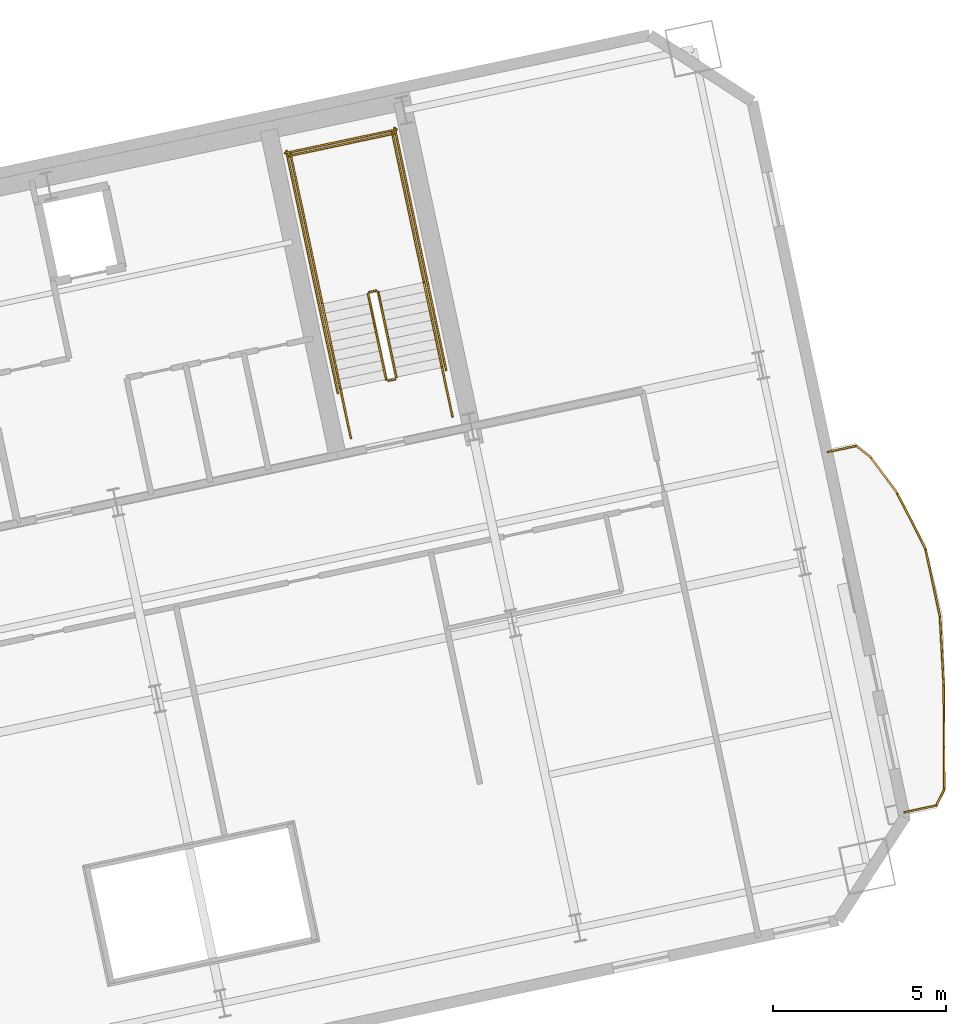
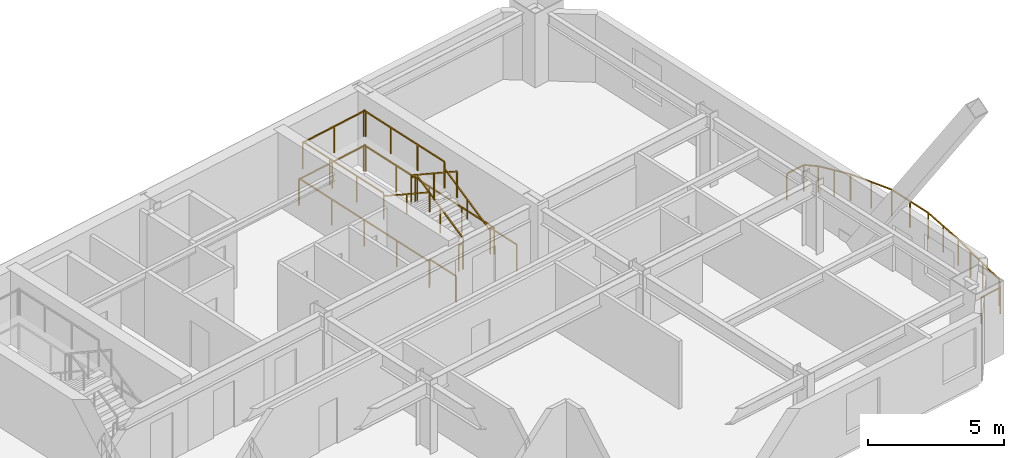
# One storey, part 15 of 15: 24 railings.
"""IFC4 building model written with IfcOpenShell, lengths in metres."""

from ifc_helpers import new_model, si_unit, direction, frame, origin, origin_2d, place, context, subcontext, project, spatial, rectangle, extrude, material, type_object, element, save


model = new_model("IFC4")

# Units and contexts
model_context = context("Model", 3, precision=1e-05, world=origin(), true_north=direction((0.0, 1.0)))
body_context = subcontext(model_context, "Body", "Model", "MODEL_VIEW")
ifc_project = project(units=[si_unit("LENGTHUNIT", "METRE"), si_unit("AREAUNIT", "SQUARE_METRE"), si_unit("VOLUMEUNIT", "CUBIC_METRE"), si_unit("PLANEANGLEUNIT", "RADIAN"), si_unit("MASSUNIT", "GRAM", prefix="KILO")], contexts=[model_context])

# Site, building, storey
site_placement = place(None, origin())
site = spatial("IfcSite", under=ifc_project, at=site_placement, CompositionType="ELEMENT")
building_placement = place(site_placement, origin())
building = spatial("IfcBuilding", under=site, at=building_placement, Name="Haevon Station Towers", CompositionType="ELEMENT")
storey_placement = place(building_placement, frame((0.0, 0.0, 103.199951171875)))
storey = spatial("IfcBuildingStorey", under=building, at=storey_placement, Name="L27", CompositionType="ELEMENT", Elevation=103.199951171875)

# Railings
ifc_material = material(Name="Steel S355", Category="steel")
railing_type_1 = type_object("IfcRailingType", Name="GRD-EXT1200", PredefinedType="GUARDRAIL", material=ifc_material)
railing_1_placement = place(storey_placement, frame((131.80615234375, 30.66943359375, 0.0)))
element("IfcRailing", 1, at=railing_1_placement, inside=storey, type_object=railing_type_1, Name="L27 Perimeter Guardrail 1", PredefinedType="GUARDRAIL", context=body_context, shape_type="SweptSolid", body=[
    extrude(rectangle(XDim=0.048095703125, YDim=0.048095703125, at=origin_2d()), frame((0.0, 0.0, 1.17578125), z_axis=(0.977684892297, 0.210076774952, 0.0), x_axis=(-0.210076774952, 0.977684892297, 0.0)), (0.0, 0.0, 1.0), 0.943603515625),
    extrude(rectangle(XDim=0.0419921875, YDim=0.0419921875, at=origin_2d()), origin(), (0.0, 0.0, 1.0), 1.15185546875),
    extrude(rectangle(XDim=0.0419921875, YDim=0.0419921875, at=origin_2d()), frame((0.922607421875, 0.1982421875, 0.0)), (0.0, 0.0, 1.0), 1.15185546875),
])
railing_2_placement = place(storey_placement, frame((132.728759765625, 30.86767578125, 0.0)))
element("IfcRailing", 2, at=railing_2_placement, inside=storey, type_object=railing_type_1, Name="L27 Perimeter Guardrail 2", PredefinedType="GUARDRAIL", context=body_context, shape_type="SweptSolid", body=[
    extrude(rectangle(XDim=0.048095703125, YDim=0.048095703125, at=origin_2d()), frame((0.0, 0.0, 1.17578125), z_axis=(0.441418206512, 0.897301491673, 0.0), x_axis=(-0.897301491673, 0.441418206512, 0.0)), (0.0, 0.0, 1.0), 0.523193359375),
    extrude(rectangle(XDim=0.0419921875, YDim=0.0419921875, at=origin_2d()), origin(), (0.0, 0.0, 1.0), 1.15185546875),
    extrude(rectangle(XDim=0.0419921875, YDim=0.0419921875, at=origin_2d()), frame((0.23095703125, 0.469482421875, 0.0)), (0.0, 0.0, 1.0), 1.15185546875),
])
railing_3_placement = place(storey_placement, frame((132.959716796875, 31.337158203125, 0.0)))
element("IfcRailing", 3, at=railing_3_placement, inside=storey, type_object=railing_type_1, Name="L27 Perimeter Guardrail 3", PredefinedType="GUARDRAIL", context=body_context, shape_type="SweptSolid", body=[
    extrude(rectangle(XDim=0.048095703125, YDim=0.048095703125, at=origin_2d()), frame((0.0, 0.0, 1.17578125), z_axis=(-0.005720028996, 0.9999836405, 0.0), x_axis=(-0.9999836405, -0.005720028996, 0.0)), (0.0, 0.0, 1.0), 1.195068359375),
    extrude(rectangle(XDim=0.0419921875, YDim=0.0419921875, at=origin_2d()), origin(), (0.0, 0.0, 1.0), 1.15185546875),
    extrude(rectangle(XDim=0.0419921875, YDim=0.0419921875, at=origin_2d()), frame((-0.0068359375, 1.195068359375, 0.0)), (0.0, 0.0, 1.0), 1.15185546875),
])
railing_4_placement = place(storey_placement, frame((132.952880859375, 32.5322265625, 0.0)))
element("IfcRailing", 4, at=railing_4_placement, inside=storey, type_object=railing_type_1, Name="L27 Perimeter Guardrail 4", PredefinedType="GUARDRAIL", context=body_context, shape_type="SweptSolid", body=[
    extrude(rectangle(XDim=0.048095703125, YDim=0.048095703125, at=origin_2d()), frame((0.0, 0.0, 1.17578125), z_axis=(-0.00451123229, 0.99998982434, 0.0), x_axis=(-0.99998982434, -0.00451123229, 0.0)), (0.0, 0.0, 1.0), 1.785888671875),
    extrude(rectangle(XDim=0.0419921875, YDim=0.0419921875, at=origin_2d()), origin(), (0.0, 0.0, 1.0), 1.15185546875),
    extrude(rectangle(XDim=0.0419921875, YDim=0.0419921875, at=origin_2d()), frame((-0.00390625, 0.89306640625, 0.0)), (0.0, 0.0, 1.0), 1.15185546875),
    extrude(rectangle(XDim=0.0419921875, YDim=0.0419921875, at=origin_2d()), frame((-0.008056640625, 1.785888671875, 0.0)), (0.0, 0.0, 1.0), 1.15185546875),
])
railing_5_placement = place(storey_placement, frame((132.94482421875, 34.318115234375, 0.0)))
element("IfcRailing", 5, at=railing_5_placement, inside=storey, type_object=railing_type_1, Name="L27 Perimeter Guardrail 5", PredefinedType="GUARDRAIL", context=body_context, shape_type="SweptSolid", body=[
    extrude(rectangle(XDim=0.048095703125, YDim=0.048095703125, at=origin_2d()), frame((0.0, 0.0, 1.17578125), z_axis=(-0.055523734139, 0.998457367616, 0.0), x_axis=(-0.998457367616, -0.055523734139, 0.0)), (0.0, 0.0, 1.0), 2.013916015625),
    extrude(rectangle(XDim=0.0419921875, YDim=0.0419921875, at=origin_2d()), origin(), (0.0, 0.0, 1.0), 1.15185546875),
    extrude(rectangle(XDim=0.0419921875, YDim=0.0419921875, at=origin_2d()), frame((-0.055908203125, 1.00537109375, 0.0)), (0.0, 0.0, 1.0), 1.15185546875),
    extrude(rectangle(XDim=0.0419921875, YDim=0.0419921875, at=origin_2d()), frame((-0.11181640625, 2.0107421875, 0.0)), (0.0, 0.0, 1.0), 1.15185546875),
])
railing_6_placement = place(storey_placement, frame((132.8330078125, 36.328857421875, 0.0)))
element("IfcRailing", 6, at=railing_6_placement, inside=storey, type_object=railing_type_1, Name="L27 Perimeter Guardrail 6", PredefinedType="GUARDRAIL", context=body_context, shape_type="SweptSolid", body=[
    extrude(rectangle(XDim=0.048095703125, YDim=0.048095703125, at=origin_2d()), frame((0.0, 0.0, 1.17578125), z_axis=(-0.208768076767, 0.97796517838, 0.0), x_axis=(-0.97796517838, -0.208768076767, 0.0)), (0.0, 0.0, 1.0), 1.993896484375),
    extrude(rectangle(XDim=0.0419921875, YDim=0.0419921875, at=origin_2d()), origin(), (0.0, 0.0, 1.0), 1.15185546875),
    extrude(rectangle(XDim=0.0419921875, YDim=0.0419921875, at=origin_2d()), frame((-0.2080078125, 0.97509765625, 0.0)), (0.0, 0.0, 1.0), 1.15185546875),
    extrude(rectangle(XDim=0.0419921875, YDim=0.0419921875, at=origin_2d()), frame((-0.416259765625, 1.949951171875, 0.0)), (0.0, 0.0, 1.0), 1.15185546875),
])
railing_7_placement = place(storey_placement, frame((132.416748046875, 38.27880859375, 0.0)))
element("IfcRailing", 7, at=railing_7_placement, inside=storey, type_object=railing_type_1, Name="L27 Perimeter Guardrail 7", PredefinedType="GUARDRAIL", context=body_context, shape_type="SweptSolid", body=[
    extrude(rectangle(XDim=0.048095703125, YDim=0.048095703125, at=origin_2d()), frame((0.0, 0.0, 1.17578125), z_axis=(-0.452397956323, 0.891816174508, 0.0), x_axis=(-0.891816174508, -0.452397956323, 0.0)), (0.0, 0.0, 1.0), 1.8056640625),
    extrude(rectangle(XDim=0.0419921875, YDim=0.0419921875, at=origin_2d()), origin(), (0.0, 0.0, 1.0), 1.15185546875),
    extrude(rectangle(XDim=0.0419921875, YDim=0.0419921875, at=origin_2d()), frame((-0.408447265625, 0.80517578125, 0.0)), (0.0, 0.0, 1.0), 1.15185546875),
    extrude(rectangle(XDim=0.0419921875, YDim=0.0419921875, at=origin_2d()), frame((-0.81689453125, 1.6103515625, 0.0)), (0.0, 0.0, 1.0), 1.15185546875),
])
railing_8_placement = place(storey_placement, frame((131.599853515625, 39.88916015625, 0.0)))
element("IfcRailing", 8, at=railing_8_placement, inside=storey, type_object=railing_type_1, Name="L27 Perimeter Guardrail 8", PredefinedType="GUARDRAIL", context=body_context, shape_type="SweptSolid", body=[
    extrude(rectangle(XDim=0.048095703125, YDim=0.048095703125, at=origin_2d()), frame((0.0, 0.0, 1.17578125), z_axis=(-0.595527054435, 0.803335252206, 0.0), x_axis=(-0.803335252206, -0.595527054435, 0.0)), (0.0, 0.0, 1.0), 1.286376953125),
    extrude(rectangle(XDim=0.0419921875, YDim=0.0419921875, at=origin_2d()), origin(), (0.0, 0.0, 1.0), 1.15185546875),
    extrude(rectangle(XDim=0.0419921875, YDim=0.0419921875, at=origin_2d()), frame((-0.383056640625, 0.5166015625, 0.0)), (0.0, 0.0, 1.0), 1.15185546875),
    extrude(rectangle(XDim=0.0419921875, YDim=0.0419921875, at=origin_2d()), frame((-0.76611328125, 1.033447265625, 0.0)), (0.0, 0.0, 1.0), 1.15185546875),
])
railing_9_placement = place(storey_placement, frame((130.833740234375, 40.922607421875, 0.0)))
element("IfcRailing", 9, at=railing_9_placement, inside=storey, type_object=railing_type_1, Name="L27 Perimeter Guardrail 9", PredefinedType="GUARDRAIL", context=body_context, shape_type="SweptSolid", body=[
    extrude(rectangle(XDim=0.048095703125, YDim=0.048095703125, at=origin_2d()), frame((0.0, 0.0, 1.17578125), z_axis=(-0.78582748016, 0.618445770805, 0.0), x_axis=(-0.618445770805, -0.78582748016, 0.0)), (0.0, 0.0, 1.0), 0.535400390625),
    extrude(rectangle(XDim=0.0419921875, YDim=0.0419921875, at=origin_2d()), origin(), (0.0, 0.0, 1.0), 1.15185546875),
    extrude(rectangle(XDim=0.0419921875, YDim=0.0419921875, at=origin_2d()), frame((-0.420654296875, 0.3310546875, 0.0)), (0.0, 0.0, 1.0), 1.15185546875),
])
railing_10_placement = place(storey_placement, frame((130.4130859375, 41.253662109375, 0.0)))
element("IfcRailing", 10, at=railing_10_placement, inside=storey, type_object=railing_type_1, Name="L27 Perimeter Guardrail 10", PredefinedType="GUARDRAIL", context=body_context, shape_type="SweptSolid", body=[
    extrude(rectangle(XDim=0.048095703125, YDim=0.048095703125, at=origin_2d()), frame((0.0, 0.0, 1.17578125), z_axis=(-0.978617737227, -0.20568744343, 0.0), x_axis=(0.20568744343, -0.978617737227, 0.0)), (0.0, 0.0, 1.0), 0.837890625),
    extrude(rectangle(XDim=0.0419921875, YDim=0.0419921875, at=origin_2d()), origin(), (0.0, 0.0, 1.0), 1.15185546875),
    extrude(rectangle(XDim=0.0419921875, YDim=0.0419921875, at=origin_2d()), frame((-0.820068359375, -0.17236328125, 0.0)), (0.0, 0.0, 1.0), 1.15185546875),
])
railing_type_2 = type_object("IfcRailingType", Name="GRD-STR1200", PredefinedType="GUARDRAIL", material=ifc_material)
railing_11_placement = place(storey_placement, frame((117.128662109375, 43.23974609375, 0.1650390625)))
element("IfcRailing", 11, at=railing_11_placement, inside=storey, type_object=railing_type_2, Name="L27 ST4 Stair Guard 1", PredefinedType="GUARDRAIL", context=body_context, shape_type="SweptSolid", body=[
    extrude(rectangle(XDim=0.048095703125, YDim=0.048095703125, at=origin_2d()), frame((0.0, 0.0, 1.17578125), z_axis=(-0.179121265225, 0.842687928106, 0.507732831485), x_axis=(-0.978147030254, -0.207914374695, 0.0)), (0.0, 0.0, 1.0), 2.925048828125),
    extrude(rectangle(XDim=0.0419921875, YDim=0.0419921875, at=origin_2d()), origin(), (0.0, 0.0, 1.0), 1.15185546875),
    extrude(rectangle(XDim=0.0419921875, YDim=0.0419921875, at=origin_2d()), frame((-0.261962890625, 1.232421875, 0.74267578125)), (0.0, 0.0, 1.0), 1.15185546875),
    extrude(rectangle(XDim=0.0419921875, YDim=0.0419921875, at=origin_2d()), frame((-0.52392578125, 2.46484375, 1.485107421875)), (0.0, 0.0, 1.0), 1.15185546875),
])
railing_12_placement = place(storey_placement, frame((116.54541015625, 45.7431640625, 1.650146484375)))
element("IfcRailing", 12, at=railing_12_placement, inside=storey, type_object=railing_type_2, Name="L27 ST4 Stair Guard 2", PredefinedType="GUARDRAIL", context=body_context, shape_type="SweptSolid", body=[
    extrude(rectangle(XDim=0.048095703125, YDim=0.048095703125, at=origin_2d()), frame((0.0, 0.0, 1.17578125), z_axis=(-0.97826412705, -0.207362720198, 0.0), x_axis=(0.207362720198, -0.97826412705, 0.0)), (0.0, 0.0, 1.0), 0.2001953125),
    extrude(rectangle(XDim=0.0419921875, YDim=0.0419921875, at=origin_2d()), origin(), (0.0, 0.0, 1.0), 1.15185546875),
    extrude(rectangle(XDim=0.0419921875, YDim=0.0419921875, at=origin_2d()), frame((-0.19580078125, -0.04150390625, 0.0)), (0.0, 0.0, 1.0), 1.15185546875),
])
railing_13_placement = place(storey_placement, frame((117.925048828125, 45.9853515625, 1.650146484375)))
element("IfcRailing", 13, at=railing_13_placement, inside=storey, type_object=railing_type_2, Name="L27 ST4 Stair Guard 3", PredefinedType="GUARDRAIL", context=body_context, shape_type="SweptSolid", body=[
    extrude(rectangle(XDim=0.048095703125, YDim=0.048095703125, at=origin_2d()), frame((0.0, 0.0, 1.17578125), z_axis=(-0.207876551949, 0.978155069071, 0.0), x_axis=(-0.978155069071, -0.207876551949, 0.0)), (0.0, 0.0, 1.0), 4.429931640625),
    extrude(rectangle(XDim=0.0419921875, YDim=0.0419921875, at=origin_2d()), origin(), (0.0, 0.0, 1.0), 1.15185546875),
    extrude(rectangle(XDim=0.0419921875, YDim=0.0419921875, at=origin_2d()), frame((-0.306884765625, 1.4443359375, 0.0)), (0.0, 0.0, 1.0), 1.15185546875),
    extrude(rectangle(XDim=0.0419921875, YDim=0.0419921875, at=origin_2d()), frame((-0.614013671875, 2.888916015625, 0.0)), (0.0, 0.0, 1.0), 1.15185546875),
    extrude(rectangle(XDim=0.0419921875, YDim=0.0419921875, at=origin_2d()), frame((-0.9208984375, 4.333251953125, 0.0)), (0.0, 0.0, 1.0), 1.15185546875),
])
railing_14_placement = place(storey_placement, frame((114.99072265625, 45.361572265625, 1.650146484375)))
element("IfcRailing", 14, at=railing_14_placement, inside=storey, type_object=railing_type_2, Name="L27 ST4 Stair Guard 4", PredefinedType="GUARDRAIL", context=body_context, shape_type="SweptSolid", body=[
    extrude(rectangle(XDim=0.048095703125, YDim=0.048095703125, at=origin_2d()), frame((0.0, 0.0, 1.17578125), z_axis=(-0.207929280007, 0.978143861871, 0.0), x_axis=(-0.978143861871, -0.207929280007, 0.0)), (0.0, 0.0, 1.0), 4.43017578125),
    extrude(rectangle(XDim=0.0419921875, YDim=0.0419921875, at=origin_2d()), origin(), (0.0, 0.0, 1.0), 1.15185546875),
    extrude(rectangle(XDim=0.0419921875, YDim=0.0419921875, at=origin_2d()), frame((-0.30712890625, 1.4443359375, 0.0)), (0.0, 0.0, 1.0), 1.15185546875),
    extrude(rectangle(XDim=0.0419921875, YDim=0.0419921875, at=origin_2d()), frame((-0.614013671875, 2.888916015625, 0.0)), (0.0, 0.0, 1.0), 1.15185546875),
    extrude(rectangle(XDim=0.0419921875, YDim=0.0419921875, at=origin_2d()), frame((-0.921142578125, 4.333251953125, 0.0)), (0.0, 0.0, 1.0), 1.15185546875),
])
railing_15_placement = place(storey_placement, frame((117.0634765625, 50.280029296875, 1.650146484375)))
element("IfcRailing", 15, at=railing_15_placement, inside=storey, type_object=railing_type_2, Name="L27 ST4 Stair Guard 5", PredefinedType="GUARDRAIL", context=body_context, shape_type="SweptSolid", body=[
    extrude(rectangle(XDim=0.048095703125, YDim=0.048095703125, at=origin_2d()), frame((0.0, 0.0, 1.17578125), z_axis=(-0.978146839882, -0.207915270313, 0.0), x_axis=(0.207915270313, -0.978146839882, 0.0)), (0.0, 0.0, 1.0), 3.099853515625),
    extrude(rectangle(XDim=0.0419921875, YDim=0.0419921875, at=origin_2d()), origin(), (0.0, 0.0, 1.0), 1.15185546875),
    extrude(rectangle(XDim=0.0419921875, YDim=0.0419921875, at=origin_2d()), frame((-1.51611328125, -0.322265625, 0.0)), (0.0, 0.0, 1.0), 1.15185546875),
    extrude(rectangle(XDim=0.0419921875, YDim=0.0419921875, at=origin_2d()), frame((-3.0322265625, -0.64453125, 0.0)), (0.0, 0.0, 1.0), 1.15185546875),
])
railing_16_placement = place(storey_placement, frame((116.311279296875, 45.642333984375, 1.81494140625)))
element("IfcRailing", 16, at=railing_16_placement, inside=storey, type_object=railing_type_2, Name="L27 ST4 Stair Guard 6", PredefinedType="GUARDRAIL", context=body_context, shape_type="SweptSolid", body=[
    extrude(rectangle(XDim=0.048095703125, YDim=0.048095703125, at=origin_2d()), frame((0.0, 0.0, 1.17578125), z_axis=(0.179108667068, -0.842712120868, 0.50769712105), x_axis=(0.978151217824, 0.207894673017, 0.0)), (0.0, 0.0, 1.0), 2.92529296875),
    extrude(rectangle(XDim=0.0419921875, YDim=0.0419921875, at=origin_2d()), origin(), (0.0, 0.0, 1.0), 1.15185546875),
    extrude(rectangle(XDim=0.0419921875, YDim=0.0419921875, at=origin_2d()), frame((0.261962890625, -1.232421875, 0.74267578125)), (0.0, 0.0, 1.0), 1.15185546875),
    extrude(rectangle(XDim=0.0419921875, YDim=0.0419921875, at=origin_2d()), frame((0.52392578125, -2.465087890625, 1.485107421875)), (0.0, 0.0, 1.0), 1.15185546875),
])
railing_17_placement = place(storey_placement, frame((117.090087890625, 43.180419921875, 0.0)))
element("IfcRailing", 17, at=railing_17_placement, inside=storey, type_object=railing_type_2, Name="L27 ST4 Stair Guard 7", PredefinedType="GUARDRAIL", context=body_context, shape_type="SweptSolid", body=[
    extrude(rectangle(XDim=0.048095703125, YDim=0.048095703125, at=origin_2d()), frame((0.0, 0.0, 1.17578125), z_axis=(-0.978211583308, -0.207610448392, 0.0), x_axis=(0.207610448392, -0.978211583308, 0.0)), (0.0, 0.0, 1.0), 0.199951171875),
    extrude(rectangle(XDim=0.0419921875, YDim=0.0419921875, at=origin_2d()), origin(), (0.0, 0.0, 1.0), 1.15185546875),
    extrude(rectangle(XDim=0.0419921875, YDim=0.0419921875, at=origin_2d()), frame((-0.195556640625, -0.04150390625, 0.0)), (0.0, 0.0, 1.0), 1.15185546875),
])
for number, where, name in (
    (18, (118.75048828125, 42.10205078125, 0.0), "L27 ST4 Stair Guard 8"),
    (19, (115.816162109375, 41.478271484375, 0.0), "L27 ST4 Stair Guard 9"),
):
    element("IfcRailing", number, at=place(storey_placement, frame(where)), inside=storey, type_object=railing_type_2, Name=name, PredefinedType="GUARDRAIL", context=body_context, shape_type="SweptSolid", body=[
        extrude(rectangle(XDim=0.048095703125, YDim=0.048095703125, at=origin_2d()), frame((0.0, 0.0, 1.17578125), z_axis=(-0.207919161079, 0.978146012851, 0.0), x_axis=(-0.978146012851, -0.207919161079, 0.0)), (0.0, 0.0, 1.0), 1.4501953125),
        extrude(rectangle(XDim=0.0419921875, YDim=0.0419921875, at=origin_2d()), origin(), (0.0, 0.0, 1.0), 1.15185546875),
        extrude(rectangle(XDim=0.0419921875, YDim=0.0419921875, at=origin_2d()), frame((-0.301513671875, 1.41845703125, 0.0)), (0.0, 0.0, 1.0), 1.15185546875),
    ])
railing_18_placement = place(storey_placement, frame((118.567626953125, 43.443359375, 0.0)))
element("IfcRailing", 20, at=railing_18_placement, inside=storey, type_object=railing_type_2, Name="L27 ST4 Stair Guard 10", PredefinedType="GUARDRAIL", context=body_context, shape_type="SweptSolid", body=[
    extrude(rectangle(XDim=0.048095703125, YDim=0.048095703125, at=origin_2d()), frame((0.0, 0.0, 1.17578125), z_axis=(-0.207908168386, 0.978148349443, 0.0), x_axis=(-0.978148349443, -0.207908168386, 0.0)), (0.0, 0.0, 1.0), 7.150146484375),
    extrude(rectangle(XDim=0.0419921875, YDim=0.0419921875, at=origin_2d()), origin(), (0.0, 0.0, 1.0), 1.15185546875),
    extrude(rectangle(XDim=0.0419921875, YDim=0.0419921875, at=origin_2d()), frame((-0.37158203125, 1.74853515625, 0.0)), (0.0, 0.0, 1.0), 1.15185546875),
    extrude(rectangle(XDim=0.0419921875, YDim=0.0419921875, at=origin_2d()), frame((-0.7431640625, 3.4970703125, 0.0)), (0.0, 0.0, 1.0), 1.15185546875),
    extrude(rectangle(XDim=0.0419921875, YDim=0.0419921875, at=origin_2d()), frame((-1.114990234375, 5.245361328125, 0.0)), (0.0, 0.0, 1.0), 1.15185546875),
    extrude(rectangle(XDim=0.0419921875, YDim=0.0419921875, at=origin_2d()), frame((-1.486572265625, 6.993896484375, 0.0)), (0.0, 0.0, 1.0), 1.15185546875),
])
railing_19_placement = place(storey_placement, frame((115.4375, 42.778076171875, 0.0)))
element("IfcRailing", 21, at=railing_19_placement, inside=storey, type_object=railing_type_2, Name="L27 ST4 Stair Guard 11", PredefinedType="GUARDRAIL", context=body_context, shape_type="SweptSolid", body=[
    extrude(rectangle(XDim=0.048095703125, YDim=0.048095703125, at=origin_2d()), frame((0.0, 0.0, 1.17578125), z_axis=(-0.207882442208, 0.978153817261, 0.0), x_axis=(-0.978153817261, -0.207882442208, 0.0)), (0.0, 0.0, 1.0), 7.14990234375),
    extrude(rectangle(XDim=0.0419921875, YDim=0.0419921875, at=origin_2d()), origin(), (0.0, 0.0, 1.0), 1.15185546875),
    extrude(rectangle(XDim=0.0419921875, YDim=0.0419921875, at=origin_2d()), frame((-0.37158203125, 1.74853515625, 0.0)), (0.0, 0.0, 1.0), 1.15185546875),
    extrude(rectangle(XDim=0.0419921875, YDim=0.0419921875, at=origin_2d()), frame((-0.7431640625, 3.496826171875, 0.0)), (0.0, 0.0, 1.0), 1.15185546875),
    extrude(rectangle(XDim=0.0419921875, YDim=0.0419921875, at=origin_2d()), frame((-1.11474609375, 5.2451171875, 0.0)), (0.0, 0.0, 1.0), 1.15185546875),
    extrude(rectangle(XDim=0.0419921875, YDim=0.0419921875, at=origin_2d()), frame((-1.486328125, 6.99365234375, 0.0)), (0.0, 0.0, 1.0), 1.15185546875),
])
railing_20_placement = place(storey_placement, frame((117.140380859375, 50.398681640625, 0.0)))
element("IfcRailing", 22, at=railing_20_placement, inside=storey, type_object=railing_type_2, Name="L27 ST4 Stair Guard 12", PredefinedType="GUARDRAIL", context=body_context, shape_type="SweptSolid", body=[
    extrude(rectangle(XDim=0.048095703125, YDim=0.048095703125, at=origin_2d()), frame((0.0, 0.0, 1.17578125), z_axis=(-0.978135717418, -0.207967589567, 0.0), x_axis=(0.207967589567, -0.978135717418, 0.0)), (0.0, 0.0, 1.0), 3.300048828125),
    extrude(rectangle(XDim=0.0419921875, YDim=0.0419921875, at=origin_2d()), origin(), (0.0, 0.0, 1.0), 1.15185546875),
    extrude(rectangle(XDim=0.0419921875, YDim=0.0419921875, at=origin_2d()), frame((-1.61376953125, -0.34326171875, 0.0)), (0.0, 0.0, 1.0), 1.15185546875),
    extrude(rectangle(XDim=0.0419921875, YDim=0.0419921875, at=origin_2d()), frame((-3.227783203125, -0.686279296875, 0.0)), (0.0, 0.0, 1.0), 1.15185546875),
])
railing_type_3 = type_object("IfcRailingType", Name="HND-STR900", PredefinedType="HANDRAIL", material=ifc_material)
railing_21_placement = place(storey_placement, frame((118.448974609375, 43.5205078125, 0.1650390625)))
element("IfcRailing", 23, at=railing_21_placement, inside=storey, type_object=railing_type_3, Name="L27 ST4 Stair Handrail 1", PredefinedType="HANDRAIL", context=body_context, shape_type="SweptSolid", body=[
    extrude(rectangle(XDim=0.048095703125, YDim=0.048095703125, at=origin_2d()), frame((0.0, 0.0, 0.8759765625), z_axis=(-0.179121265225, 0.842687928106, 0.507732831485), x_axis=(-0.978147030254, -0.207914374695, 0.0)), (0.0, 0.0, 1.0), 2.925048828125),
    extrude(rectangle(XDim=0.0419921875, YDim=0.0419921875, at=origin_2d()), origin(), (0.0, 0.0, 1.0), 0.851806640625),
    extrude(rectangle(XDim=0.0419921875, YDim=0.0419921875, at=origin_2d()), frame((-0.261962890625, 1.232421875, 0.74267578125)), (0.0, 0.0, 1.0), 0.851806640625),
    extrude(rectangle(XDim=0.0419921875, YDim=0.0419921875, at=origin_2d()), frame((-0.52392578125, 2.46484375, 1.485107421875)), (0.0, 0.0, 1.0), 0.851806640625),
])
railing_22_placement = place(storey_placement, frame((114.99072265625, 45.361572265625, 1.81494140625)))
element("IfcRailing", 24, at=railing_22_placement, inside=storey, type_object=railing_type_3, Name="L27 ST4 Stair Handrail 2", PredefinedType="HANDRAIL", context=body_context, shape_type="SweptSolid", body=[
    extrude(rectangle(XDim=0.048095703125, YDim=0.048095703125, at=origin_2d()), frame((0.0, 0.0, 0.8759765625), z_axis=(0.179121265225, -0.842687928106, 0.507732831485), x_axis=(0.978147030254, 0.207914374695, 0.0)), (0.0, 0.0, 1.0), 2.925048828125),
    extrude(rectangle(XDim=0.0419921875, YDim=0.0419921875, at=origin_2d()), origin(), (0.0, 0.0, 1.0), 0.851806640625),
    extrude(rectangle(XDim=0.0419921875, YDim=0.0419921875, at=origin_2d()), frame((0.261962890625, -1.232421875, 0.74267578125)), (0.0, 0.0, 1.0), 0.851806640625),
    extrude(rectangle(XDim=0.0419921875, YDim=0.0419921875, at=origin_2d()), frame((0.52392578125, -2.46484375, 1.485107421875)), (0.0, 0.0, 1.0), 0.851806640625),
])

save(model, "model.ifc")
